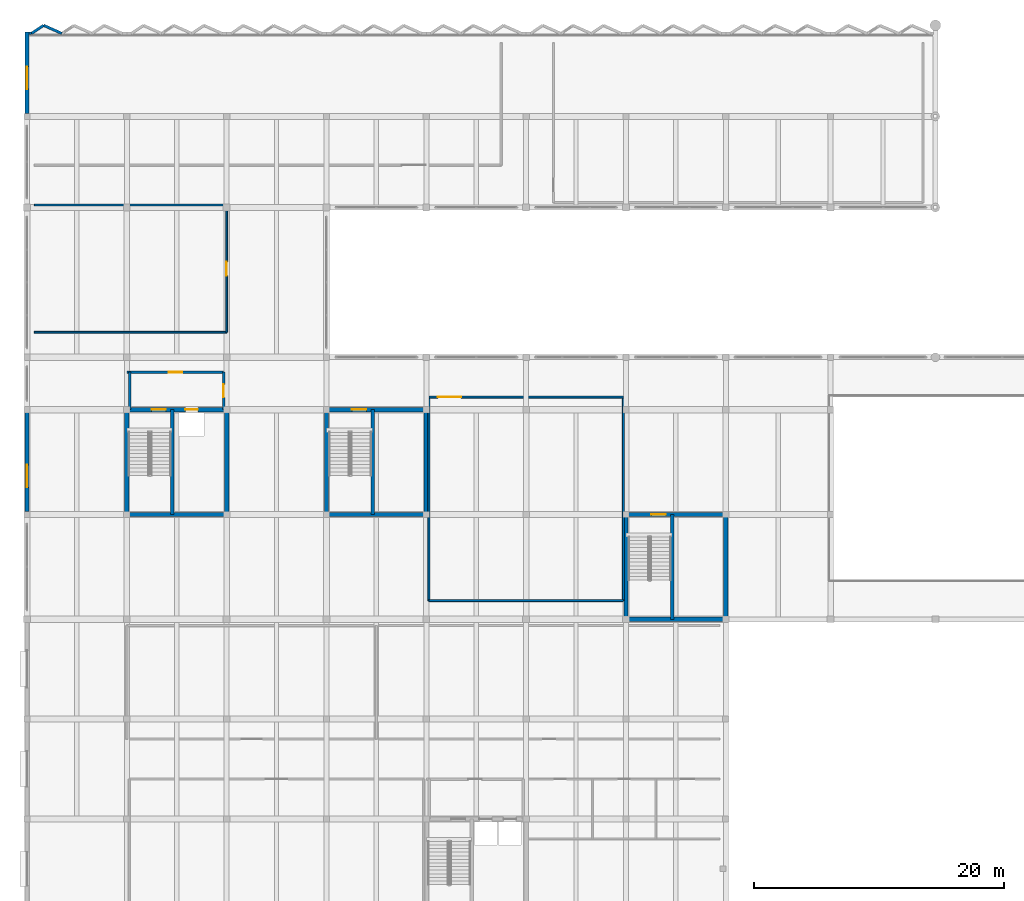
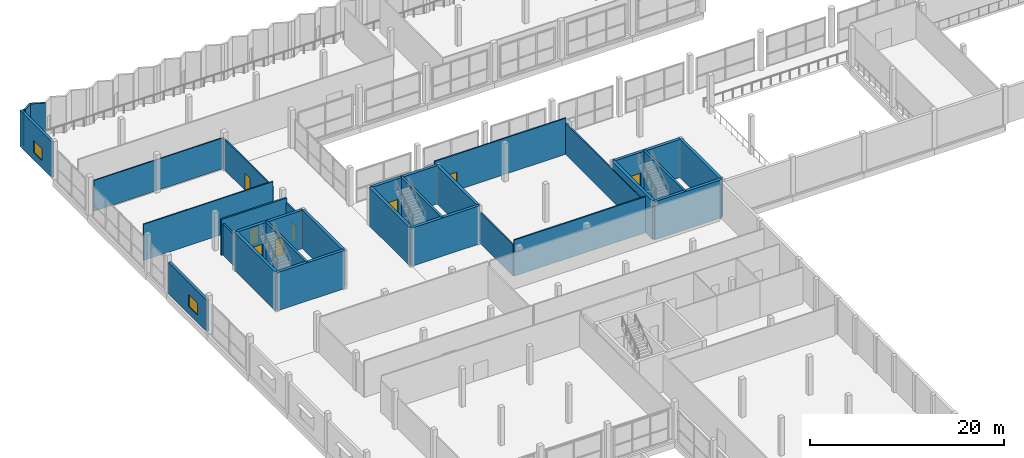
# One storey, part 34 of 47: 30 walls, 8 doors, 2 windows, 10 openings.
"""IFC4 building model written with IfcOpenShell, lengths in metres."""

from ifc_helpers import new_model, si_unit, direction, frame, frame_2d, origin, place, context, subcontext, project, spatial, rectangle, extrude, material, layer, layer_set, type_object, element, fill, save


model = new_model("IFC4")

# Units and contexts
model_context = context("Model", 3, precision=1e-05, world=origin(), true_north=direction((0.0, 1.0)))
body_context = subcontext(model_context, "Body", "Model", "MODEL_VIEW")
ifc_project = project(units=[si_unit("LENGTHUNIT", "METRE"), si_unit("AREAUNIT", "SQUARE_METRE"), si_unit("VOLUMEUNIT", "CUBIC_METRE"), si_unit("PLANEANGLEUNIT", "RADIAN"), si_unit("MASSUNIT", "GRAM", prefix="KILO")], contexts=[model_context])

# Site, building, storey
site_placement = place(None, origin())
site = spatial("IfcSite", under=ifc_project, at=site_placement, CompositionType="ELEMENT")
building_placement = place(site_placement, origin())
building = spatial("IfcBuilding", under=site, at=building_placement, Name="Vharandega Faculty of Natural Sciences", CompositionType="ELEMENT")
storey_placement = place(building_placement, frame((0.0, 0.0, 5.39990234375)))
storey = spatial("IfcBuildingStorey", under=building, at=storey_placement, Name="L01", CompositionType="ELEMENT", Elevation=5.39990234375)

# Walls
ifc_material_1 = material(Name="Precast concrete C40/50", Category="concrete")
ifc_layer_1 = layer(ifc_material_1, 0.2099609375, Name="Precast concrete C40/50")
ifc_layer_set_1 = layer_set([ifc_layer_1], Name="Precast concrete C40/50")
wall_type_1 = type_object("IfcWallType", Name="Commons Sawtooth Street Wall 210", PredefinedType="SOLIDWALL", material=ifc_layer_set_1)
wall_1_placement = place(storey_placement, frame((0.14501953125, 110.949951171875, 0.0), z_axis=(0.0, 0.0, 1.0), x_axis=(1.0, 0.0, 0.0)))
element("IfcWall", 1, at=wall_1_placement, inside=storey, type_object=wall_type_1, Name="Exterior Wall EW-V2SHL-L01-1L", PredefinedType="SOLIDWALL", context=body_context, shape_type="SweptSolid", body=[
    extrude(rectangle(XDim=0.205078125, YDim=0.2099609375, at=frame_2d((0.1025390625, 0.0))), origin(), (0.0, 0.0, 1.0), 4.52001953125),
])
wall_2_placement = place(storey_placement, frame((0.360107421875, 110.949951171875, 0.0), z_axis=(0.0, 0.0, 1.0), x_axis=(0.830858868059, 0.556483190553, 0.0)))
element("IfcWall", 2, at=wall_2_placement, inside=storey, type_object=wall_type_1, Name="Exterior Wall EW-V2SAW-L01-01G", PredefinedType="SOLIDWALL", context=body_context, shape_type="SweptSolid", body=[
    extrude(rectangle(XDim=1.168212890625, YDim=0.2099609375, at=frame_2d((0.583984375, 0.0))), origin(), (0.0, 0.0, 1.0), 4.52001953125),
])
wall_3_placement = place(storey_placement, frame((1.330810546875, 111.60009765625, 0.0), z_axis=(0.0, 0.0, 1.0), x_axis=(0.913083928543, -0.407771675618, 0.0)))
element("IfcWall", 3, at=wall_3_placement, inside=storey, type_object=wall_type_1, Name="Exterior Wall EW-V2SAW-L01-01S", PredefinedType="SOLIDWALL", context=body_context, shape_type="SweptSolid", body=[
    extrude(rectangle(XDim=1.594482421875, YDim=0.2099609375, at=frame_2d((0.79736328125, 0.0))), origin(), (0.0, 0.0, 1.0), 4.52001953125),
])
ifc_material_2 = material(Name="Concrete C40/50", Category="concrete")
ifc_layer_2 = layer(ifc_material_2, 0.35009765625, Name="Concrete C40/50")
ifc_layer_set_2 = layer_set([ifc_layer_2], Name="Concrete C40/50")
wall_type_2 = type_object("IfcWallType", Name="Core Shear Wall 350", PredefinedType="SHEAR", material=ifc_layer_set_2)
wall_4_placement = place(storey_placement, frame((8.0, 72.39990234375, 0.0), z_axis=(0.0, 0.0, 1.0), x_axis=(1.0, 0.0, 0.0)))
element("IfcWall", 4, at=wall_4_placement, inside=storey, type_object=wall_type_2, Name="Interior Wall CW-C4-L01-S", PredefinedType="SHEAR", context=body_context, shape_type="SweptSolid", body=[
    extrude(rectangle(XDim=8.0, YDim=0.35009765625, at=frame_2d((4.0, 0.0))), origin(), (0.0, 0.0, 1.0), 4.800048828125),
])
for number, where, z_axis, x_axis, name in (
    (5, (8.0, 72.39990234375, 0.0), (0.0, 0.0, 1.0), (0.0, 1.0, 0.0), "Interior Wall CW-C4-L01-W"),
    (6, (16.0, 72.39990234375, 0.0), (0.0, 0.0, 1.0), (0.0, 1.0, 0.0), "Interior Wall CW-C4-L01-E"),
):
    element("IfcWall", number, at=place(storey_placement, frame(where, z_axis=z_axis, x_axis=x_axis)), inside=storey, type_object=wall_type_2, Name=name, PredefinedType="SHEAR", context=body_context, shape_type="SweptSolid", body=[
        extrude(rectangle(XDim=8.400146484375, YDim=0.35009765625, at=frame_2d((4.2001953125, 0.0))), origin(), (0.0, 0.0, 1.0), 4.800048828125),
    ])

# Wall, openings, doors
wall_5_placement = place(storey_placement, frame((8.0, 80.800048828125, 0.0), z_axis=(0.0, 0.0, 1.0), x_axis=(1.0, 0.0, 0.0)))
wall_5 = element("IfcWall", 7, at=wall_5_placement, inside=storey, type_object=wall_type_2, Name="Interior Wall CW-C4-L01-N", PredefinedType="SHEAR", context=body_context, shape_type="SweptSolid", body=[
    extrude(rectangle(XDim=8.0, YDim=0.35009765625, at=frame_2d((4.0, 0.0))), origin(), (0.0, 0.0, 1.0), 4.800048828125),
])
opening_1_placement = place(wall_5_placement, frame((1.97998046875, 0.0, 0.0)))
opening_1 = element("IfcOpeningElement", 8, at=opening_1_placement, cuts=wall_5, Name="Opening FD1", PredefinedType="OPENING", context=body_context, shape_type="SweptSolid", body=[
    extrude(rectangle(XDim=1.14990234375, YDim=2.199951171875, at=frame_2d((0.574951171875, 1.10009765625))), frame((0.0, 0.18505859375, 0.0), z_axis=(0.0, -1.0, 0.0), x_axis=(1.0, 0.0, 0.0)), (0.0, 0.0, 1.0), 0.3701171875),
])
opening_2_placement = place(wall_5_placement, frame((4.699951171875, 0.0, 0.0)))
opening_2 = element("IfcOpeningElement", 9, at=opening_2_placement, cuts=wall_5, Name="Opening LD-LP2-L01", PredefinedType="OPENING", context=body_context, shape_type="SweptSolid", body=[
    extrude(rectangle(XDim=1.0, YDim=2.14990234375, at=frame_2d((0.5, 1.074951171875))), frame((0.0, 0.18505859375, 0.0), z_axis=(0.0, -1.0, 0.0), x_axis=(1.0, 0.0, 0.0)), (0.0, 0.0, 1.0), 0.3701171875),
])
ifc_material_3 = material(Name="Solid-core hardwood timber fire door", Category="wood")
door_type_1 = type_object("IfcDoorType", Name="FD1-STAIR-1150x2200", OperationType="NOTDEFINED", PredefinedType="DOOR", material=ifc_material_3)
door_1_placement = place(opening_1_placement, origin())
door_1 = element("IfcDoor", 10, at=door_1_placement, inside=storey, type_object=door_type_1, Name="Stair ST4 Fire Door FD1", OperationType="SINGLE_SWING_LEFT", OverallHeight=2.199951171875, OverallWidth=1.14990234375, PredefinedType="DOOR", context=body_context, shape_type="SweptSolid", body=[
    extrude(rectangle(XDim=1.14990234375, YDim=2.199951171875, at=frame_2d((0.574951171875, 1.10009765625))), frame((0.0, 0.02490234375, 0.0), z_axis=(0.0, -1.0, 0.0), x_axis=(1.0, 0.0, 0.0)), (0.0, 0.0, 1.0), 0.050048828125),
])
fill(opening_1, door_1)
ifc_material_4 = material(Name="Brushed stainless steel sliding landing door", Category="steel")
door_type_2 = type_object("IfcDoorType", Name="LD2-PAXLIFT-SLIDING-1000x2150", OperationType="DOUBLE_DOOR_SLIDING", PredefinedType="DOOR", material=ifc_material_4)
door_2_placement = place(opening_2_placement, origin())
door_2 = element("IfcDoor", 11, at=door_2_placement, inside=storey, type_object=door_type_2, Name="Lift Landing Door LD-LP2-L01", OperationType="DOUBLE_DOOR_SLIDING", OverallHeight=2.14990234375, OverallWidth=1.0, PredefinedType="DOOR", context=body_context, shape_type="SweptSolid", body=[
    extrude(rectangle(XDim=1.0, YDim=2.14990234375, at=frame_2d((0.5, 1.074951171875))), frame((0.0, 0.02490234375, 0.0), z_axis=(0.0, -1.0, 0.0), x_axis=(1.0, 0.0, 0.0)), (0.0, 0.0, 1.0), 0.050048828125),
])
fill(opening_2, door_2)

# Walls
wall_6_placement = place(storey_placement, frame((48.0, 64.0, 0.0), z_axis=(0.0, 0.0, 1.0), x_axis=(1.0, 0.0, 0.0)))
element("IfcWall", 12, at=wall_6_placement, inside=storey, type_object=wall_type_2, Name="Interior Wall CW-C5-L01-S", PredefinedType="SHEAR", context=body_context, shape_type="SweptSolid", body=[
    extrude(rectangle(XDim=8.0, YDim=0.35009765625, at=frame_2d((4.0, 0.0))), origin(), (0.0, 0.0, 1.0), 4.800048828125),
])
for number, where, z_axis, x_axis, name in (
    (13, (48.0, 64.0, 0.0), (0.0, 0.0, 1.0), (0.0, 1.0, 0.0), "Interior Wall CW-C5-L01-W"),
    (14, (56.0, 64.0, 0.0), (0.0, 0.0, 1.0), (0.0, 1.0, 0.0), "Interior Wall CW-C5-L01-E"),
):
    element("IfcWall", number, at=place(storey_placement, frame(where, z_axis=z_axis, x_axis=x_axis)), inside=storey, type_object=wall_type_2, Name=name, PredefinedType="SHEAR", context=body_context, shape_type="SweptSolid", body=[
        extrude(rectangle(XDim=8.39990234375, YDim=0.35009765625, at=frame_2d((4.199951171875, 0.0))), origin(), (0.0, 0.0, 1.0), 4.800048828125),
    ])

# Wall, opening, door
wall_7_placement = place(storey_placement, frame((48.0, 72.39990234375, 0.0), z_axis=(0.0, 0.0, 1.0), x_axis=(1.0, 0.0, 0.0)))
wall_7 = element("IfcWall", 15, at=wall_7_placement, inside=storey, type_object=wall_type_2, Name="Interior Wall CW-C5-L01-N", PredefinedType="SHEAR", context=body_context, shape_type="SweptSolid", body=[
    extrude(rectangle(XDim=8.0, YDim=0.35009765625, at=frame_2d((4.0, 0.0))), origin(), (0.0, 0.0, 1.0), 4.800048828125),
])
opening_3_placement = place(wall_7_placement, frame((2.0400390625, 0.0, 0.0)))
opening_3 = element("IfcOpeningElement", 16, at=opening_3_placement, cuts=wall_7, Name="Opening FD1", PredefinedType="OPENING", context=body_context, shape_type="SweptSolid", body=[
    extrude(rectangle(XDim=1.14990234375, YDim=2.199951171875, at=frame_2d((0.574951171875, 1.10009765625))), frame((0.0, 0.18505859375, 0.0), z_axis=(0.0, -1.0, 0.0), x_axis=(1.0, 0.0, 0.0)), (0.0, 0.0, 1.0), 0.3701171875),
])
door_3_placement = place(opening_3_placement, origin())
door_3 = element("IfcDoor", 17, at=door_3_placement, inside=storey, type_object=door_type_1, Name="Stair ST5 Fire Door FD1", OperationType="SINGLE_SWING_LEFT", OverallHeight=2.199951171875, OverallWidth=1.14990234375, PredefinedType="DOOR", context=body_context, shape_type="SweptSolid", body=[
    extrude(rectangle(XDim=1.14990234375, YDim=2.199951171875, at=frame_2d((0.574951171875, 1.10009765625))), frame((0.0, 0.02490234375, 0.0), z_axis=(0.0, -1.0, 0.0), x_axis=(1.0, 0.0, 0.0)), (0.0, 0.0, 1.0), 0.050048828125),
])
fill(opening_3, door_3)

# Walls
wall_8_placement = place(storey_placement, frame((24.0, 72.39990234375, 0.0), z_axis=(0.0, 0.0, 1.0), x_axis=(1.0, 0.0, 0.0)))
element("IfcWall", 18, at=wall_8_placement, inside=storey, type_object=wall_type_2, Name="Interior Wall CW-C6-L01-S", PredefinedType="SHEAR", context=body_context, shape_type="SweptSolid", body=[
    extrude(rectangle(XDim=8.0, YDim=0.35009765625, at=frame_2d((4.0, 0.0))), origin(), (0.0, 0.0, 1.0), 4.800048828125),
])
for number, where, z_axis, x_axis, name in (
    (19, (24.0, 72.39990234375, 0.0), (0.0, 0.0, 1.0), (0.0, 1.0, 0.0), "Interior Wall CW-C6-L01-W"),
    (20, (32.0, 72.39990234375, 0.0), (0.0, 0.0, 1.0), (0.0, 1.0, 0.0), "Interior Wall CW-C6-L01-E"),
):
    element("IfcWall", number, at=place(storey_placement, frame(where, z_axis=z_axis, x_axis=x_axis)), inside=storey, type_object=wall_type_2, Name=name, PredefinedType="SHEAR", context=body_context, shape_type="SweptSolid", body=[
        extrude(rectangle(XDim=8.400146484375, YDim=0.35009765625, at=frame_2d((4.2001953125, 0.0))), origin(), (0.0, 0.0, 1.0), 4.800048828125),
    ])

# Wall, opening, door
wall_9_placement = place(storey_placement, frame((24.0, 80.800048828125, 0.0), z_axis=(0.0, 0.0, 1.0), x_axis=(1.0, 0.0, 0.0)))
wall_9 = element("IfcWall", 21, at=wall_9_placement, inside=storey, type_object=wall_type_2, Name="Interior Wall CW-C6-L01-N", PredefinedType="SHEAR", context=body_context, shape_type="SweptSolid", body=[
    extrude(rectangle(XDim=8.0, YDim=0.35009765625, at=frame_2d((4.0, 0.0))), origin(), (0.0, 0.0, 1.0), 4.800048828125),
])
opening_4_placement = place(wall_9_placement, frame((2.0400390625, 0.0, 0.0)))
opening_4 = element("IfcOpeningElement", 22, at=opening_4_placement, cuts=wall_9, Name="Opening FD1", PredefinedType="OPENING", context=body_context, shape_type="SweptSolid", body=[
    extrude(rectangle(XDim=1.14990234375, YDim=2.199951171875, at=frame_2d((0.574951171875, 1.10009765625))), frame((0.0, 0.18505859375, 0.0), z_axis=(0.0, -1.0, 0.0), x_axis=(1.0, 0.0, 0.0)), (0.0, 0.0, 1.0), 0.3701171875),
])
door_4_placement = place(opening_4_placement, origin())
door_4 = element("IfcDoor", 23, at=door_4_placement, inside=storey, type_object=door_type_1, Name="Stair ST6 Fire Door FD1", OperationType="SINGLE_SWING_LEFT", OverallHeight=2.199951171875, OverallWidth=1.14990234375, PredefinedType="DOOR", context=body_context, shape_type="SweptSolid", body=[
    extrude(rectangle(XDim=1.14990234375, YDim=2.199951171875, at=frame_2d((0.574951171875, 1.10009765625))), frame((0.0, 0.02490234375, 0.0), z_axis=(0.0, -1.0, 0.0), x_axis=(1.0, 0.0, 0.0)), (0.0, 0.0, 1.0), 0.050048828125),
])
fill(opening_4, door_4)

ifc_material_5 = material(Name="Concrete C40/50", Category="concrete")
ifc_layer_3 = layer(ifc_material_5, 0.199951171875, Name="Concrete C40/50")
ifc_layer_set_3 = layer_set([ifc_layer_3], Name="Concrete C40/50")
wall_type_3 = type_object("IfcWallType", Name="Firefighting Lobby Wall 200", PredefinedType="PARTITIONING", material=ifc_layer_set_3)
wall_10_placement = place(storey_placement, frame((8.0, 83.800048828125, 0.0), z_axis=(0.0, 0.0, 1.0), x_axis=(1.0, 0.0, 0.0)))
wall_10 = element("IfcWall", 24, at=wall_10_placement, inside=storey, type_object=wall_type_3, Name="Interior Wall PW-LL-C4-L01-N", PredefinedType="PARTITIONING", context=body_context, shape_type="SweptSolid", body=[
    extrude(rectangle(XDim=7.75, YDim=0.199951171875, at=frame_2d((3.875, 0.0))), origin(), (0.0, 0.0, 1.0), 4.52001953125),
])
opening_5_placement = place(wall_10_placement, frame((3.375, 0.0, 0.0)))
opening_5 = element("IfcOpeningElement", 25, at=opening_5_placement, cuts=wall_10, Name="Opening FD4", PredefinedType="OPENING", context=body_context, shape_type="SweptSolid", body=[
    extrude(rectangle(XDim=1.050048828125, YDim=2.14990234375, at=frame_2d((0.52490234375, 1.074951171875))), frame((0.0, 0.10986328125, 0.0), z_axis=(0.0, -1.0, 0.0), x_axis=(1.0, 0.0, 0.0)), (0.0, 0.0, 1.0), 0.219970703125),
])
ifc_material_6 = material(Name="Solid-core hardwood timber fire door", Category="wood")
door_type_3 = type_object("IfcDoorType", Name="FD4-LAB-SGL-1050x2150", OperationType="NOTDEFINED", PredefinedType="DOOR", material=ifc_material_6)
door_5_placement = place(opening_5_placement, origin())
door_5 = element("IfcDoor", 26, at=door_5_placement, inside=storey, type_object=door_type_3, Name="Lift Lobby C4 Door FD4", OperationType="SINGLE_SWING_RIGHT", OverallHeight=2.14990234375, OverallWidth=1.050048828125, PredefinedType="DOOR", context=body_context, shape_type="SweptSolid", body=[
    extrude(rectangle(XDim=1.050048828125, YDim=2.14990234375, at=frame_2d((0.52490234375, 1.074951171875))), frame((0.0, 0.02490234375, 0.0), z_axis=(0.0, -1.0, 0.0), x_axis=(1.0, 0.0, 0.0)), (0.0, 0.0, 1.0), 0.050048828125),
])
fill(opening_5, door_5)

wall_11_placement = place(storey_placement, frame((15.75, 80.800048828125, 0.0), z_axis=(0.0, 0.0, 1.0), x_axis=(0.0, 1.0, 0.0)))
wall_11 = element("IfcWall", 27, at=wall_11_placement, inside=storey, type_object=wall_type_3, Name="Interior Wall PW-LL-C4-L01-E", PredefinedType="PARTITIONING", context=body_context, shape_type="SweptSolid", body=[
    extrude(rectangle(XDim=3.0, YDim=0.199951171875, at=frame_2d((1.5, 0.0))), origin(), (0.0, 0.0, 1.0), 3.940185546875),
])
opening_6_placement = place(wall_11_placement, frame((0.97509765625, 0.0, 0.0)))
opening_6 = element("IfcOpeningElement", 28, at=opening_6_placement, cuts=wall_11, Name="Opening FD4", PredefinedType="OPENING", context=body_context, shape_type="SweptSolid", body=[
    extrude(rectangle(XDim=1.050048828125, YDim=2.14990234375, at=frame_2d((0.52490234375, 1.074951171875))), frame((0.0, 0.10986328125, 0.0), z_axis=(0.0, -1.0, 0.0), x_axis=(1.0, 0.0, 0.0)), (0.0, 0.0, 1.0), 0.219970703125),
])
door_6_placement = place(opening_6_placement, origin())
door_6 = element("IfcDoor", 29, at=door_6_placement, inside=storey, type_object=door_type_3, Name="Lift Lobby C4 East Door FD4", OperationType="SINGLE_SWING_LEFT", OverallHeight=2.14990234375, OverallWidth=1.050048828125, PredefinedType="DOOR", context=body_context, shape_type="SweptSolid", body=[
    extrude(rectangle(XDim=1.050048828125, YDim=2.14990234375, at=frame_2d((0.52490234375, 1.074951171875))), frame((0.0, 0.02490234375, 0.0), z_axis=(0.0, -1.0, 0.0), x_axis=(1.0, 0.0, 0.0)), (0.0, 0.0, 1.0), 0.050048828125),
])
fill(opening_6, door_6)

# Walls
wall_12_placement = place(storey_placement, frame((8.25, 80.800048828125, 0.0), z_axis=(0.0, 0.0, 1.0), x_axis=(0.0, 1.0, 0.0)))
element("IfcWall", 30, at=wall_12_placement, inside=storey, type_object=wall_type_3, Name="Interior Wall PW-LL-C4-L01-W", PredefinedType="PARTITIONING", context=body_context, shape_type="SweptSolid", body=[
    extrude(rectangle(XDim=3.0, YDim=0.199951171875, at=frame_2d((1.5, 0.0))), origin(), (0.0, 0.0, 1.0), 3.940185546875),
])
ifc_material_7 = material(Name="Gypsum fire-board on steel stud", Category="steel")
ifc_layer_4 = layer(ifc_material_7, 0.159912109375, Name="Gypsum fire-board on steel stud")
ifc_layer_set_4 = layer_set([ifc_layer_4], Name="Gypsum fire-board on steel stud")
wall_type_4 = type_object("IfcWallType", Name="Laboratory Fire Corridor Wall 160", PredefinedType="PARTITIONING", material=ifc_layer_set_4)
wall_13_placement = place(storey_placement, frame((32.199951171875, 65.5, 0.0), z_axis=(0.0, 0.0, 1.0), x_axis=(1.0, 0.0, 0.0)))
element("IfcWall", 31, at=wall_13_placement, inside=storey, type_object=wall_type_4, Name="Interior Wall PW-L01-R13S", PredefinedType="PARTITIONING", context=body_context, shape_type="SweptSolid", body=[
    extrude(rectangle(XDim=15.60009765625, YDim=0.159912109375, at=frame_2d((7.800048828125, 0.0))), origin(), (0.0, 0.0, 1.0), 4.5400390625),
])

# Wall, opening, door
wall_14_placement = place(storey_placement, frame((32.199951171875, 81.800048828125, 0.0), z_axis=(0.0, 0.0, 1.0), x_axis=(1.0, 0.0, 0.0)))
wall_14 = element("IfcWall", 32, at=wall_14_placement, inside=storey, type_object=wall_type_4, Name="Interior Wall PW-L01-R13N", PredefinedType="PARTITIONING", context=body_context, shape_type="SweptSolid", body=[
    extrude(rectangle(XDim=15.60009765625, YDim=0.159912109375, at=frame_2d((7.800048828125, 0.0))), origin(), (0.0, 0.0, 1.0), 4.5400390625),
])
opening_7_placement = place(wall_14_placement, frame((0.699951171875, 0.0, 0.0)))
opening_7 = element("IfcOpeningElement", 33, at=opening_7_placement, cuts=wall_14, Name="Opening D0260", PredefinedType="OPENING", context=body_context, shape_type="SweptSolid", body=[
    extrude(rectangle(XDim=1.89990234375, YDim=2.300048828125, at=frame_2d((0.949951171875, 1.14990234375))), frame((0.0, 0.08984375, 0.0), z_axis=(0.0, -1.0, 0.0), x_axis=(1.0, 0.0, 0.0)), (0.0, 0.0, 1.0), 0.179931640625),
])
ifc_material_8 = material(Name="Solid-core hardwood timber fire door", Category="wood")
door_type_4 = type_object("IfcDoorType", Name="ID08-COMMONS-DBL-1900x2300", OperationType="DOUBLE_DOOR_SINGLE_SWING", PredefinedType="DOOR", material=ifc_material_8)
door_7_placement = place(opening_7_placement, origin())
door_7 = element("IfcDoor", 34, at=door_7_placement, inside=storey, type_object=door_type_4, Name="L01 Atrium West Study Gallery Door D0260", OperationType="DOUBLE_DOOR_SINGLE_SWING", OverallHeight=2.300048828125, OverallWidth=1.89990234375, PredefinedType="DOOR", context=body_context, shape_type="SweptSolid", body=[
    extrude(rectangle(XDim=1.89990234375, YDim=2.300048828125, at=frame_2d((0.949951171875, 1.14990234375))), frame((0.0, 0.02490234375, 0.0), z_axis=(0.0, -1.0, 0.0), x_axis=(1.0, 0.0, 0.0)), (0.0, 0.0, 1.0), 0.050048828125),
])
fill(opening_7, door_7)

# Walls
for number, where, z_axis, x_axis, name in (
    (35, (32.199951171875, 65.5, 0.0), (0.0, 0.0, 1.0), (0.0, 1.0, 0.0), "Interior Wall PW-L01-R13W"),
    (36, (47.800048828125, 65.5, 0.0), (0.0, 0.0, 1.0), (0.0, 1.0, 0.0), "Interior Wall PW-L01-R13E"),
):
    element("IfcWall", number, at=place(storey_placement, frame(where, z_axis=z_axis, x_axis=x_axis)), inside=storey, type_object=wall_type_4, Name=name, PredefinedType="PARTITIONING", context=body_context, shape_type="SweptSolid", body=[
        extrude(rectangle(XDim=16.300048828125, YDim=0.159912109375, at=frame_2d((8.14990234375, 0.0))), origin(), (0.0, 0.0, 1.0), 3.920166015625),
    ])
ifc_material_9 = material(Name="Concrete C40/50", Category="concrete")
ifc_layer_5 = layer(ifc_material_9, 0.260009765625, Name="Concrete C40/50")
ifc_layer_set_5 = layer_set([ifc_layer_5], Name="Concrete C40/50")
wall_type_5 = type_object("IfcWallType", Name="Lift Shaft Shear Wall 260", PredefinedType="SHEAR", material=ifc_layer_set_5)
wall_15_placement = place(storey_placement, frame((11.639892578125, 72.39990234375, 0.0), z_axis=(0.0, 0.0, 1.0), x_axis=(0.0, 1.0, 0.0)))
element("IfcWall", 37, at=wall_15_placement, inside=storey, type_object=wall_type_5, Name="Interior Wall CW-C4-L01-DIV", PredefinedType="SHEAR", context=body_context, shape_type="SweptSolid", body=[
    extrude(rectangle(XDim=8.400146484375, YDim=0.260009765625, at=frame_2d((4.2001953125, 0.0))), origin(), (0.0, 0.0, 1.0), 4.800048828125),
])
wall_16_placement = place(storey_placement, frame((51.699951171875, 64.0, 0.0), z_axis=(0.0, 0.0, 1.0), x_axis=(0.0, 1.0, 0.0)))
element("IfcWall", 38, at=wall_16_placement, inside=storey, type_object=wall_type_5, Name="Interior Wall CW-C5-L01-DIV", PredefinedType="SHEAR", context=body_context, shape_type="SweptSolid", body=[
    extrude(rectangle(XDim=8.39990234375, YDim=0.260009765625, at=frame_2d((4.199951171875, 0.0))), origin(), (0.0, 0.0, 1.0), 4.800048828125),
])
wall_17_placement = place(storey_placement, frame((27.699951171875, 72.39990234375, 0.0), z_axis=(0.0, 0.0, 1.0), x_axis=(0.0, 1.0, 0.0)))
element("IfcWall", 39, at=wall_17_placement, inside=storey, type_object=wall_type_5, Name="Interior Wall CW-C6-L01-DIV", PredefinedType="SHEAR", context=body_context, shape_type="SweptSolid", body=[
    extrude(rectangle(XDim=8.400146484375, YDim=0.260009765625, at=frame_2d((4.2001953125, 0.0))), origin(), (0.0, 0.0, 1.0), 4.800048828125),
])

# Wall, opening, window
ifc_material_10 = material(Name="Precast concrete C40/50", Category="concrete")
ifc_layer_6 = layer(ifc_material_10, 0.300048828125, Name="Precast concrete C40/50")
ifc_layer_set_6 = layer_set([ifc_layer_6], Name="Precast concrete C40/50")
wall_type_6 = type_object("IfcWallType", Name="Polychrome Precast Facade Wall 300", PredefinedType="SOLIDWALL", material=ifc_layer_set_6)
wall_18_placement = place(storey_placement, frame((0.0, 72.64794921875, 0.0), z_axis=(0.0, 0.0, 1.0), x_axis=(0.0, 1.0, 0.0)))
wall_18 = element("IfcWall", 40, at=wall_18_placement, inside=storey, type_object=wall_type_6, Name="Exterior Wall EW-V2W-L01-2", PredefinedType="SOLIDWALL", context=body_context, shape_type="SweptSolid", body=[
    extrude(rectangle(XDim=7.904052734375, YDim=0.300048828125, at=frame_2d((3.9521484375, 0.0))), origin(), (0.0, 0.0, 1.0), 3.940185546875),
])
opening_8_placement = place(wall_18_placement, frame((1.931884765625, 0.0, 0.89990234375)))
opening_8 = element("IfcOpeningElement", 41, at=opening_8_placement, cuts=wall_18, Name="Opening WN-20", PredefinedType="OPENING", context=body_context, shape_type="SweptSolid", body=[
    extrude(rectangle(XDim=1.800048828125, YDim=1.550048828125, at=frame_2d((0.89990234375, 0.77490234375))), frame((0.0, 0.16015625, 0.0), z_axis=(0.0, -1.0, 0.0), x_axis=(1.0, 0.0, 0.0)), (0.0, 0.0, 1.0), 0.320068359375),
])
ifc_material_11 = material(Name="Double-glazed solar-control glass in thermally broken aluminium frame", Category="aluminium")
window_type = type_object("IfcWindowType", Name="WIN-SEM-180x155", PartitioningType="DOUBLE_PANEL_VERTICAL", PredefinedType="WINDOW", material=ifc_material_11)
window_1_placement = place(opening_8_placement, origin())
window_1 = element("IfcWindow", 42, at=window_1_placement, inside=storey, type_object=window_type, Name="Window WIN-L01-0170", OverallHeight=1.550048828125, OverallWidth=1.800048828125, PartitioningType="SINGLE_PANEL", PredefinedType="WINDOW", context=body_context, shape_type="SweptSolid", body=[
    extrude(rectangle(XDim=1.800048828125, YDim=1.550048828125, at=frame_2d((0.89990234375, 0.77490234375))), frame((0.0, 0.030029296875, 0.0), z_axis=(0.0, -1.0, 0.0), x_axis=(1.0, 0.0, 0.0)), (0.0, 0.0, 1.0), 0.06005859375),
])
fill(opening_8, window_1)

wall_19_placement = place(storey_placement, frame((0.0, 104.548095703125, 0.0), z_axis=(0.0, 0.0, 1.0), x_axis=(0.0, 1.0, 0.0)))
wall_19 = element("IfcWall", 43, at=wall_19_placement, inside=storey, type_object=wall_type_6, Name="Exterior Wall EW-V2W-L01-6", PredefinedType="SOLIDWALL", context=body_context, shape_type="SweptSolid", body=[
    extrude(rectangle(XDim=6.5068359375, YDim=0.300048828125, at=frame_2d((3.25341796875, 0.0))), origin(), (0.0, 0.0, 1.0), 4.52001953125),
])
opening_9_placement = place(wall_19_placement, frame((1.931884765625, 0.0, 0.89990234375)))
opening_9 = element("IfcOpeningElement", 44, at=opening_9_placement, cuts=wall_19, Name="Opening WN-20", PredefinedType="OPENING", context=body_context, shape_type="SweptSolid", body=[
    extrude(rectangle(XDim=1.800048828125, YDim=1.550048828125, at=frame_2d((0.89990234375, 0.77490234375))), frame((0.0, 0.16015625, 0.0), z_axis=(0.0, -1.0, 0.0), x_axis=(1.0, 0.0, 0.0)), (0.0, 0.0, 1.0), 0.320068359375),
])
window_2_placement = place(opening_9_placement, origin())
window_2 = element("IfcWindow", 45, at=window_2_placement, inside=storey, type_object=window_type, Name="Window WIN-L01-0171", OverallHeight=1.550048828125, OverallWidth=1.800048828125, PartitioningType="SINGLE_PANEL", PredefinedType="WINDOW", context=body_context, shape_type="SweptSolid", body=[
    extrude(rectangle(XDim=1.800048828125, YDim=1.550048828125, at=frame_2d((0.89990234375, 0.77490234375))), frame((0.0, 0.030029296875, 0.0), z_axis=(0.0, -1.0, 0.0), x_axis=(1.0, 0.0, 0.0)), (0.0, 0.0, 1.0), 0.06005859375),
])
fill(opening_9, window_2)

# Walls
ifc_material_12 = material(Name="Gypsum acoustic partition", Category="gypsum")
ifc_layer_7 = layer(ifc_material_12, 0.139892578125, Name="Gypsum acoustic partition")
ifc_layer_set_7 = layer_set([ifc_layer_7], Name="Gypsum acoustic partition")
wall_type_7 = type_object("IfcWallType", Name="Room Partition Wall 140", PredefinedType="PARTITIONING", material=ifc_layer_set_7)
wall_20_placement = place(storey_placement, frame((0.60009765625, 87.0, 0.0), z_axis=(0.0, 0.0, 1.0), x_axis=(1.0, 0.0, 0.0)))
element("IfcWall", 46, at=wall_20_placement, inside=storey, type_object=wall_type_7, Name="Interior Wall PW-L01-R12S", PredefinedType="PARTITIONING", context=body_context, shape_type="SweptSolid", body=[
    extrude(rectangle(XDim=15.39990234375, YDim=0.139892578125, at=frame_2d((7.699951171875, 0.0))), origin(), (0.0, 0.0, 1.0), 4.5400390625),
])
wall_21_placement = place(storey_placement, frame((0.60009765625, 97.199951171875, 0.0), z_axis=(0.0, 0.0, 1.0), x_axis=(1.0, 0.0, 0.0)))
element("IfcWall", 47, at=wall_21_placement, inside=storey, type_object=wall_type_7, Name="Interior Wall PW-L01-R12N", PredefinedType="PARTITIONING", context=body_context, shape_type="SweptSolid", body=[
    extrude(rectangle(XDim=15.39990234375, YDim=0.139892578125, at=frame_2d((7.699951171875, 0.0))), origin(), (0.0, 0.0, 1.0), 3.860107421875),
])

# Wall, opening, door
wall_22_placement = place(storey_placement, frame((16.0, 87.0, 0.0), z_axis=(0.0, 0.0, 1.0), x_axis=(0.0, 1.0, 0.0)))
wall_22 = element("IfcWall", 48, at=wall_22_placement, inside=storey, type_object=wall_type_7, Name="Interior Wall PW-L01-R12E", PredefinedType="PARTITIONING", context=body_context, shape_type="SweptSolid", body=[
    extrude(rectangle(XDim=10.199951171875, YDim=0.139892578125, at=frame_2d((5.10009765625, 0.0))), origin(), (0.0, 0.0, 1.0), 3.89013671875),
])
opening_10_placement = place(wall_22_placement, frame((4.5400390625, 0.0, 0.0)))
opening_10 = element("IfcOpeningElement", 49, at=opening_10_placement, cuts=wall_22, Name="Opening D0259", PredefinedType="OPENING", context=body_context, shape_type="SweptSolid", body=[
    extrude(rectangle(XDim=1.1201171875, YDim=2.14990234375, at=frame_2d((0.56005859375, 1.074951171875))), frame((0.0, 0.080078125, 0.0), z_axis=(0.0, -1.0, 0.0), x_axis=(1.0, 0.0, 0.0)), (0.0, 0.0, 1.0), 0.159912109375),
])
ifc_material_13 = material(Name="Solid-core hardwood timber fire door", Category="wood")
door_type_5 = type_object("IfcDoorType", Name="ID12-STUDIO-1120x2150", OperationType="NOTDEFINED", PredefinedType="DOOR", material=ifc_material_13)
door_8_placement = place(opening_10_placement, origin())
door_8 = element("IfcDoor", 50, at=door_8_placement, inside=storey, type_object=door_type_5, Name="Digital Cartography Studio Door D0259", OperationType="SINGLE_SWING_RIGHT", OverallHeight=2.14990234375, OverallWidth=1.1201171875, PredefinedType="DOOR", context=body_context, shape_type="SweptSolid", body=[
    extrude(rectangle(XDim=1.1201171875, YDim=2.14990234375, at=frame_2d((0.56005859375, 1.074951171875))), frame((0.0, 0.02490234375, 0.0), z_axis=(0.0, -1.0, 0.0), x_axis=(1.0, 0.0, 0.0)), (0.0, 0.0, 1.0), 0.050048828125),
])
fill(opening_10, door_8)

save(model, "model.ifc")
